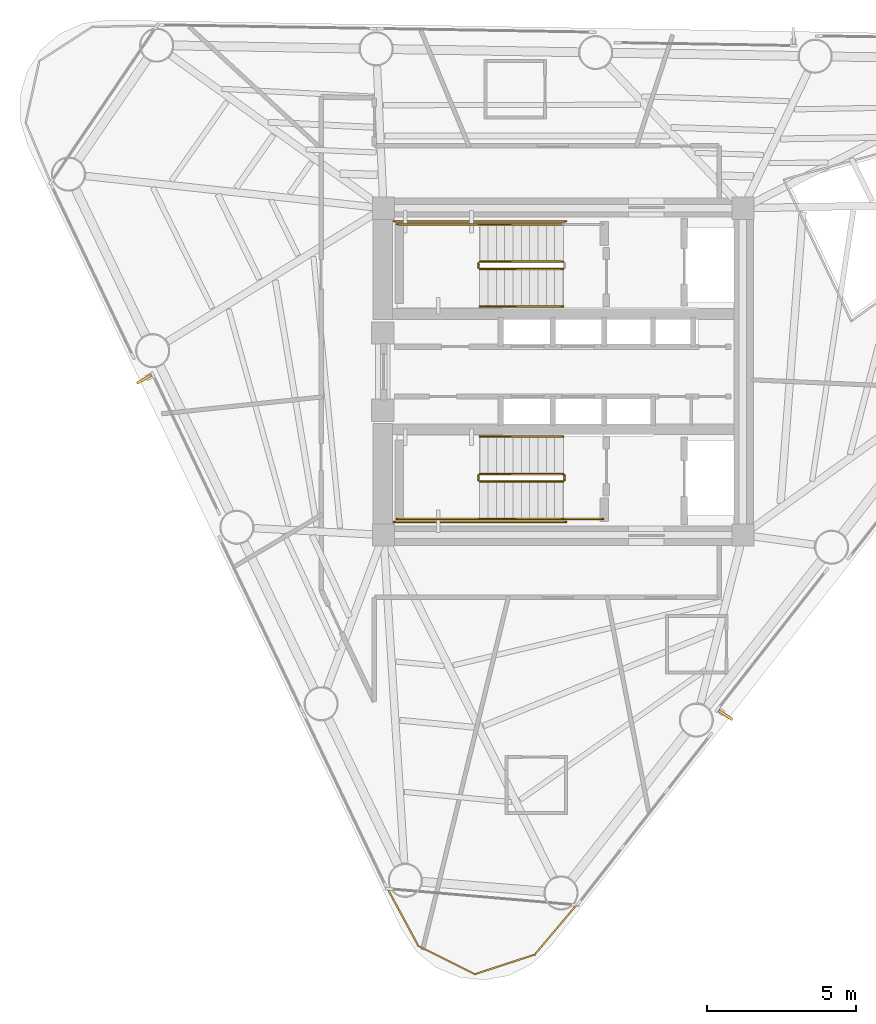
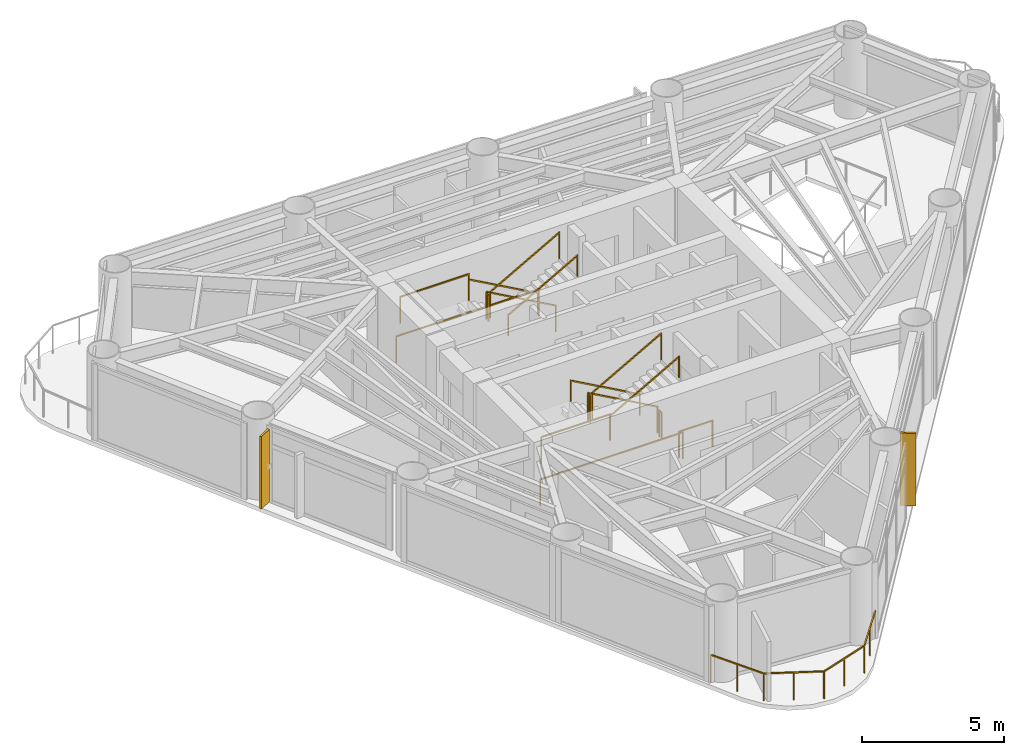
# One storey, part 8 of 10: 17 railings, 2 shading devices.
"""IFC4 building model written with IfcOpenShell, lengths in metres."""

from ifc_helpers import new_model, si_unit, direction, frame, origin, origin_2d, place, context, subcontext, project, spatial, rectangle, extrude, source, transform, mapped, material, material_profile, profile_set, type_object, element, save


model = new_model("IFC4")

# Units and contexts
model_context = context("Model", 3, precision=1e-05, world=origin(), true_north=direction((0.0, 1.0)))
body_context = subcontext(model_context, "Body", "Model", "MODEL_VIEW")
ifc_project = project(units=[si_unit("LENGTHUNIT", "METRE"), si_unit("AREAUNIT", "SQUARE_METRE"), si_unit("VOLUMEUNIT", "CUBIC_METRE"), si_unit("PLANEANGLEUNIT", "RADIAN"), si_unit("MASSUNIT", "GRAM", prefix="KILO")], contexts=[model_context])

# Site, building, storey
site_placement = place(None, origin())
site = spatial("IfcSite", under=ifc_project, at=site_placement, CompositionType="ELEMENT")
building_placement = place(site_placement, origin())
building = spatial("IfcBuilding", under=site, at=building_placement, Name="Yunling Apex Tower", CompositionType="ELEMENT")
storey_placement = place(building_placement, frame((0.0, 0.0, 215.60009765625)))
storey = spatial("IfcBuildingStorey", under=building, at=storey_placement, Name="L53", CompositionType="ELEMENT", Elevation=215.60009765625)

# Railings
ifc_material_1 = material(Name="Bronze anodised aluminium", Category="aluminium")
railing_type_1 = type_object("IfcRailingType", Name="RL-BAL-1200", PredefinedType="BALUSTRADE", material=ifc_material_1)
railing_1_placement = place(storey_placement, frame((0.4462890625, -17.9599609375, 0.0)))
element("IfcRailing", 1, at=railing_1_placement, inside=storey, type_object=railing_type_1, Name="RL-CRNSILL-L53-3", PredefinedType="BALUSTRADE", context=body_context, shape_type="SweptSolid", body=[
    extrude(rectangle(XDim=0.0439453125, YDim=0.0439453125, at=origin_2d()), origin(), (0.0, 0.0, 1.0), 1.199951171875),
    extrude(rectangle(XDim=0.0439453125, YDim=0.0439453125, at=origin_2d()), frame((-1.408447265625, -1.669189453125, 0.0)), (0.0, 0.0, 1.0), 1.199951171875),
    extrude(rectangle(XDim=0.050048828125, YDim=0.050048828125, at=origin_2d()), frame((-0.024658203125, -0.029296875, 1.1748046875), z_axis=(-0.644889304204, -0.764275987666, 0.0), x_axis=(0.764275987666, -0.644889304204, 0.0)), (0.0, 0.0, 1.0), 2.107421875),
    extrude(rectangle(XDim=0.0439453125, YDim=0.0439453125, at=origin_2d()), frame((-0.7041015625, -0.83447265625, 0.0)), (0.0, 0.0, 1.0), 1.14599609375),
    extrude(rectangle(XDim=0.0439453125, YDim=0.0439453125, at=origin_2d()), frame((-3.421875, -2.326416015625, 0.0)), (0.0, 0.0, 1.0), 1.199951171875),
    extrude(rectangle(XDim=0.050048828125, YDim=0.050048828125, at=origin_2d()), frame((-1.44482421875, -1.68115234375, 1.1748046875), z_axis=(-0.950635994022, -0.310308244926, 0.0), x_axis=(0.310308244926, -0.950635994022, 0.0)), (0.0, 0.0, 1.0), 2.041259765625),
    extrude(rectangle(XDim=0.0439453125, YDim=0.0439453125, at=origin_2d()), frame((-2.4150390625, -1.997802734375, 0.0)), (0.0, 0.0, 1.0), 1.14599609375),
    extrude(rectangle(XDim=0.0439453125, YDim=0.0439453125, at=origin_2d()), frame((-5.32275390625, -1.376708984375, 0.0)), (0.0, 0.0, 1.0), 1.199951171875),
    extrude(rectangle(XDim=0.050048828125, YDim=0.050048828125, at=origin_2d()), frame((-3.4560546875, -2.309326171875, 1.1748046875), z_axis=(-0.894565021347, 0.446937828543, 0.0), x_axis=(-0.446937828543, -0.894565021347, 0.0)), (0.0, 0.0, 1.0), 2.04833984375),
    extrude(rectangle(XDim=0.0439453125, YDim=0.0439453125, at=origin_2d()), frame((-4.372314453125, -1.8515625, 0.0)), (0.0, 0.0, 1.0), 1.14599609375),
    extrude(rectangle(XDim=0.0439453125, YDim=0.0439453125, at=origin_2d()), frame((-6.35791015625, 0.545654296875, 0.0)), (0.0, 0.0, 1.0), 1.199951171875),
    extrude(rectangle(XDim=0.050048828125, YDim=0.050048828125, at=origin_2d()), frame((-5.3408203125, -1.343017578125, 1.1748046875), z_axis=(-0.474113159208, 0.880463918775, 0.0), x_axis=(-0.880463918775, -0.474113159208, 0.0)), (0.0, 0.0, 1.0), 2.106689453125),
    extrude(rectangle(XDim=0.0439453125, YDim=0.0439453125, at=origin_2d()), frame((-5.84033203125, -0.41552734375, 0.0)), (0.0, 0.0, 1.0), 1.14599609375),
])
ifc_material_2 = material(Name="Steel Q355B", Category="steel")
railing_type_2 = type_object("IfcRailingType", Name="RL-GRD-1150", PredefinedType="GUARDRAIL", material=ifc_material_2)
railing_2_placement = place(storey_placement, frame((-0.010009765625, 3.699951171875, 0.15673828125)))
element("IfcRailing", 2, at=railing_2_placement, inside=storey, type_object=railing_type_2, Name="L53 ST-1 stair guard 1", PredefinedType="GUARDRAIL", context=body_context, shape_type="SweptSolid", body=[
    extrude(rectangle(XDim=0.0439453125, YDim=0.0439453125, at=origin_2d()), origin(), (0.0, 0.0, 1.0), 1.14990234375),
    extrude(rectangle(XDim=0.0439453125, YDim=0.0439453125, at=origin_2d()), frame((-2.800048828125, 0.0, 1.568115234375)), (0.0, 0.0, 1.0), 1.14990234375),
    extrude(rectangle(XDim=0.050048828125, YDim=0.050048828125, at=origin_2d()), frame((-0.033447265625, 0.0, 1.1435546875), z_axis=(-0.872494340497, 0.0, 0.48862421737), x_axis=(0.0, -1.0, 0.0)), (0.0, 0.0, 1.0), 3.132568359375),
])
railing_3_placement = place(storey_placement, frame((-2.860107421875, 3.64990234375, 1.724853515625)))
element("IfcRailing", 3, at=railing_3_placement, inside=storey, type_object=railing_type_2, Name="L53 ST-1 stair guard 2", PredefinedType="GUARDRAIL", context=body_context, shape_type="SweptSolid", body=[
    extrude(rectangle(XDim=0.0439453125, YDim=0.0439453125, at=origin_2d()), origin(), (0.0, 0.0, 1.0), 1.14990234375),
    extrude(rectangle(XDim=0.0439453125, YDim=0.0439453125, at=origin_2d()), frame((0.0, -0.14990234375, 0.0)), (0.0, 0.0, 1.0), 1.14990234375),
    extrude(rectangle(XDim=0.050048828125, YDim=0.050048828125, at=origin_2d()), frame((0.0, -0.038330078125, 1.125), z_axis=(0.0, -1.0, 0.0), x_axis=(1.0, 0.0, 0.0)), (0.0, 0.0, 1.0), 0.0732421875),
])
railing_4_placement = place(storey_placement, frame((-2.81005859375, 4.9599609375, 1.724853515625)))
element("IfcRailing", 4, at=railing_4_placement, inside=storey, type_object=railing_type_2, Name="L53 ST-1 stair guard 3", PredefinedType="GUARDRAIL", context=body_context, shape_type="SweptSolid", body=[
    extrude(rectangle(XDim=0.0439453125, YDim=0.0439453125, at=origin_2d()), origin(), (0.0, 0.0, 1.0), 1.14990234375),
    extrude(rectangle(XDim=0.0439453125, YDim=0.0439453125, at=origin_2d()), frame((-2.7900390625, 0.0, 0.0)), (0.0, 0.0, 1.0), 1.14990234375),
    extrude(rectangle(XDim=0.050048828125, YDim=0.050048828125, at=origin_2d()), frame((-0.038330078125, 0.0, 1.125), z_axis=(-1.0, 0.0, 0.0), x_axis=(0.0, -1.0, 0.0)), (0.0, 0.0, 1.0), 2.71337890625),
])
railing_5_placement = place(storey_placement, frame((-2.81005859375, 3.449951171875, 1.8818359375)))
element("IfcRailing", 5, at=railing_5_placement, inside=storey, type_object=railing_type_2, Name="L53 ST-1 stair guard 4", PredefinedType="GUARDRAIL", context=body_context, shape_type="SweptSolid", body=[
    extrude(rectangle(XDim=0.0439453125, YDim=0.0439453125, at=origin_2d()), origin(), (0.0, 0.0, 1.0), 1.14990234375),
    extrude(rectangle(XDim=0.0439453125, YDim=0.0439453125, at=origin_2d()), frame((2.800048828125, 0.0, 1.568115234375)), (0.0, 0.0, 1.0), 1.14990234375),
    extrude(rectangle(XDim=0.050048828125, YDim=0.050048828125, at=origin_2d()), frame((0.033447265625, 0.0, 1.1435546875), z_axis=(0.872494340497, 0.0, 0.48862421737), x_axis=(0.0, 1.0, 0.0)), (0.0, 0.0, 1.0), 3.132568359375),
])
railing_6_placement = place(storey_placement, frame((0.090087890625, 5.06005859375, 0.0)))
element("IfcRailing", 6, at=railing_6_placement, inside=storey, type_object=railing_type_2, Name="L53 ST-1 stair guard 7", PredefinedType="GUARDRAIL", context=body_context, shape_type="SweptSolid", body=[
    extrude(rectangle(XDim=0.0439453125, YDim=0.0439453125, at=origin_2d()), origin(), (0.0, 0.0, 1.0), 1.14990234375),
    extrude(rectangle(XDim=0.0439453125, YDim=0.0439453125, at=origin_2d()), frame((-5.7900390625, 0.0, 0.0)), (0.0, 0.0, 1.0), 1.14990234375),
    extrude(rectangle(XDim=0.050048828125, YDim=0.050048828125, at=origin_2d()), frame((-0.038330078125, 0.0, 1.125), z_axis=(-1.0, 0.0, 0.0), x_axis=(0.0, -1.0, 0.0)), (0.0, 0.0, 1.0), 5.71337890625),
])
railing_7_placement = place(storey_placement, frame((-0.010009765625, -3.449951171875, 0.15673828125)))
element("IfcRailing", 7, at=railing_7_placement, inside=storey, type_object=railing_type_2, Name="L53 ST-2 stair guard 1", PredefinedType="GUARDRAIL", context=body_context, shape_type="SweptSolid", body=[
    extrude(rectangle(XDim=0.0439453125, YDim=0.0439453125, at=origin_2d()), origin(), (0.0, 0.0, 1.0), 1.14990234375),
    extrude(rectangle(XDim=0.0439453125, YDim=0.0439453125, at=origin_2d()), frame((-2.800048828125, 0.0, 1.568115234375)), (0.0, 0.0, 1.0), 1.14990234375),
    extrude(rectangle(XDim=0.050048828125, YDim=0.050048828125, at=origin_2d()), frame((-0.033447265625, 0.0, 1.1435546875), z_axis=(-0.872494340497, 0.0, 0.48862421737), x_axis=(0.0, -1.0, 0.0)), (0.0, 0.0, 1.0), 3.132568359375),
])
railing_8_placement = place(storey_placement, frame((-2.860107421875, -3.5, 1.724853515625)))
element("IfcRailing", 8, at=railing_8_placement, inside=storey, type_object=railing_type_2, Name="L53 ST-2 stair guard 2", PredefinedType="GUARDRAIL", context=body_context, shape_type="SweptSolid", body=[
    extrude(rectangle(XDim=0.0439453125, YDim=0.0439453125, at=origin_2d()), origin(), (0.0, 0.0, 1.0), 1.14990234375),
    extrude(rectangle(XDim=0.0439453125, YDim=0.0439453125, at=origin_2d()), frame((0.0, -0.14990234375, 0.0)), (0.0, 0.0, 1.0), 1.14990234375),
    extrude(rectangle(XDim=0.050048828125, YDim=0.050048828125, at=origin_2d()), frame((0.0, -0.038330078125, 1.125), z_axis=(0.0, -1.0, 0.0), x_axis=(1.0, 0.0, 0.0)), (0.0, 0.0, 1.0), 0.0732421875),
])
railing_9_placement = place(storey_placement, frame((-2.81005859375, -4.9599609375, 1.724853515625)))
element("IfcRailing", 9, at=railing_9_placement, inside=storey, type_object=railing_type_2, Name="L53 ST-2 stair guard 3", PredefinedType="GUARDRAIL", context=body_context, shape_type="SweptSolid", body=[
    extrude(rectangle(XDim=0.0439453125, YDim=0.0439453125, at=origin_2d()), origin(), (0.0, 0.0, 1.0), 1.14990234375),
    extrude(rectangle(XDim=0.0439453125, YDim=0.0439453125, at=origin_2d()), frame((-2.7900390625, 0.0, 0.0)), (0.0, 0.0, 1.0), 1.14990234375),
    extrude(rectangle(XDim=0.050048828125, YDim=0.050048828125, at=origin_2d()), frame((-0.038330078125, 0.0, 1.125), z_axis=(-1.0, 0.0, 0.0), x_axis=(0.0, -1.0, 0.0)), (0.0, 0.0, 1.0), 2.71337890625),
])
railing_10_placement = place(storey_placement, frame((-2.81005859375, -3.699951171875, 1.8818359375)))
element("IfcRailing", 10, at=railing_10_placement, inside=storey, type_object=railing_type_2, Name="L53 ST-2 stair guard 4", PredefinedType="GUARDRAIL", context=body_context, shape_type="SweptSolid", body=[
    extrude(rectangle(XDim=0.0439453125, YDim=0.0439453125, at=origin_2d()), origin(), (0.0, 0.0, 1.0), 1.14990234375),
    extrude(rectangle(XDim=0.0439453125, YDim=0.0439453125, at=origin_2d()), frame((2.800048828125, 0.0, 1.568115234375)), (0.0, 0.0, 1.0), 1.14990234375),
    extrude(rectangle(XDim=0.050048828125, YDim=0.050048828125, at=origin_2d()), frame((0.033447265625, 0.0, 1.1435546875), z_axis=(0.872494340497, 0.0, 0.48862421737), x_axis=(0.0, 1.0, 0.0)), (0.0, 0.0, 1.0), 3.132568359375),
])
railing_11_placement = place(storey_placement, frame((0.0400390625, -3.5, 0.0)))
element("IfcRailing", 11, at=railing_11_placement, inside=storey, type_object=railing_type_2, Name="L53 ST-2 stair guard 5", PredefinedType="GUARDRAIL", context=body_context, shape_type="SweptSolid", body=[
    extrude(rectangle(XDim=0.0439453125, YDim=0.0439453125, at=origin_2d()), origin(), (0.0, 0.0, 1.0), 1.14990234375),
    extrude(rectangle(XDim=0.0439453125, YDim=0.0439453125, at=origin_2d()), frame((0.0, -0.14990234375, 0.0)), (0.0, 0.0, 1.0), 1.14990234375),
    extrude(rectangle(XDim=0.050048828125, YDim=0.050048828125, at=origin_2d()), frame((0.0, -0.038330078125, 1.125), z_axis=(0.0, -1.0, 0.0), x_axis=(1.0, 0.0, 0.0)), (0.0, 0.0, 1.0), 0.0732421875),
])
railing_12_placement = place(storey_placement, frame((1.35009765625, -4.9599609375, 0.0)))
element("IfcRailing", 12, at=railing_12_placement, inside=storey, type_object=railing_type_2, Name="L53 ST-2 stair guard 6", PredefinedType="GUARDRAIL", context=body_context, shape_type="SweptSolid", body=[
    extrude(rectangle(XDim=0.0439453125, YDim=0.0439453125, at=origin_2d()), origin(), (0.0, 0.0, 1.0), 1.14990234375),
    extrude(rectangle(XDim=0.0439453125, YDim=0.0439453125, at=origin_2d()), frame((-1.360107421875, 0.0, 0.0)), (0.0, 0.0, 1.0), 1.14990234375),
    extrude(rectangle(XDim=0.050048828125, YDim=0.050048828125, at=origin_2d()), frame((-0.038330078125, 0.0, 1.125), z_axis=(-1.0, 0.0, 0.0), x_axis=(0.0, -1.0, 0.0)), (0.0, 0.0, 1.0), 1.283447265625),
])
railing_13_placement = place(storey_placement, frame((0.090087890625, -5.06005859375, 0.0)))
element("IfcRailing", 13, at=railing_13_placement, inside=storey, type_object=railing_type_2, Name="L53 ST-2 stair guard 7", PredefinedType="GUARDRAIL", context=body_context, shape_type="SweptSolid", body=[
    extrude(rectangle(XDim=0.0439453125, YDim=0.0439453125, at=origin_2d()), origin(), (0.0, 0.0, 1.0), 1.14990234375),
    extrude(rectangle(XDim=0.0439453125, YDim=0.0439453125, at=origin_2d()), frame((-5.7900390625, 0.0, 0.0)), (0.0, 0.0, 1.0), 1.14990234375),
    extrude(rectangle(XDim=0.050048828125, YDim=0.050048828125, at=origin_2d()), frame((-0.038330078125, 0.0, 1.125), z_axis=(-1.0, 0.0, 0.0), x_axis=(0.0, -1.0, 0.0)), (0.0, 0.0, 1.0), 5.71337890625),
])
ifc_material_3 = material(Name="Silver anodised aluminium", Category="aluminium")
railing_type_3 = type_object("IfcRailingType", Name="RL-HND-900", PredefinedType="HANDRAIL", material=ifc_material_3)
railing_14_placement = place(storey_placement, frame((-0.010009765625, 4.9599609375, 0.15673828125)))
element("IfcRailing", 14, at=railing_14_placement, inside=storey, type_object=railing_type_3, Name="L53 ST-1 stair handrail 1", PredefinedType="HANDRAIL", context=body_context, shape_type="SweptSolid", body=[
    extrude(rectangle(XDim=0.0439453125, YDim=0.0439453125, at=origin_2d()), origin(), (0.0, 0.0, 1.0), 0.919921875),
    extrude(rectangle(XDim=0.0439453125, YDim=0.0439453125, at=origin_2d()), frame((-2.800048828125, 0.0, 1.568115234375)), (0.0, 0.0, 1.0), 0.919921875),
    extrude(rectangle(XDim=0.050048828125, YDim=0.050048828125, at=origin_2d()), frame((-0.033447265625, 0.0, 0.91357421875), z_axis=(-0.872494340497, 0.0, 0.48862421737), x_axis=(0.0, -1.0, 0.0)), (0.0, 0.0, 1.0), 3.132568359375),
])
railing_15_placement = place(storey_placement, frame((-2.81005859375, 2.18994140625, 1.8818359375)))
element("IfcRailing", 15, at=railing_15_placement, inside=storey, type_object=railing_type_3, Name="L53 ST-1 stair handrail 2", PredefinedType="HANDRAIL", context=body_context, shape_type="SweptSolid", body=[
    extrude(rectangle(XDim=0.0439453125, YDim=0.0439453125, at=origin_2d()), origin(), (0.0, 0.0, 1.0), 0.919921875),
    extrude(rectangle(XDim=0.0439453125, YDim=0.0439453125, at=origin_2d()), frame((2.800048828125, 0.0, 1.568115234375)), (0.0, 0.0, 1.0), 0.919921875),
    extrude(rectangle(XDim=0.050048828125, YDim=0.050048828125, at=origin_2d()), frame((0.033447265625, 0.0, 0.91357421875), z_axis=(0.872494340497, 0.0, 0.48862421737), x_axis=(0.0, 1.0, 0.0)), (0.0, 0.0, 1.0), 3.132568359375),
])
railing_16_placement = place(storey_placement, frame((-0.010009765625, -2.18994140625, 0.15673828125)))
element("IfcRailing", 16, at=railing_16_placement, inside=storey, type_object=railing_type_3, Name="L53 ST-2 stair handrail 1", PredefinedType="HANDRAIL", context=body_context, shape_type="SweptSolid", body=[
    extrude(rectangle(XDim=0.0439453125, YDim=0.0439453125, at=origin_2d()), origin(), (0.0, 0.0, 1.0), 0.919921875),
    extrude(rectangle(XDim=0.0439453125, YDim=0.0439453125, at=origin_2d()), frame((-2.800048828125, 0.0, 1.568115234375)), (0.0, 0.0, 1.0), 0.919921875),
    extrude(rectangle(XDim=0.050048828125, YDim=0.050048828125, at=origin_2d()), frame((-0.033447265625, 0.0, 0.91357421875), z_axis=(-0.872494340497, 0.0, 0.48862421737), x_axis=(0.0, -1.0, 0.0)), (0.0, 0.0, 1.0), 3.132568359375),
])
railing_17_placement = place(storey_placement, frame((-2.81005859375, -4.9599609375, 1.8818359375)))
element("IfcRailing", 17, at=railing_17_placement, inside=storey, type_object=railing_type_3, Name="L53 ST-2 stair handrail 2", PredefinedType="HANDRAIL", context=body_context, shape_type="SweptSolid", body=[
    extrude(rectangle(XDim=0.0439453125, YDim=0.0439453125, at=origin_2d()), origin(), (0.0, 0.0, 1.0), 0.919921875),
    extrude(rectangle(XDim=0.0439453125, YDim=0.0439453125, at=origin_2d()), frame((2.800048828125, 0.0, 1.568115234375)), (0.0, 0.0, 1.0), 0.919921875),
    extrude(rectangle(XDim=0.050048828125, YDim=0.050048828125, at=origin_2d()), frame((0.033447265625, 0.0, 0.91357421875), z_axis=(0.872494340497, 0.0, 0.48862421737), x_axis=(0.0, 1.0, 0.0)), (0.0, 0.0, 1.0), 3.132568359375),
])

# Shading devices
ifc_material_profile = material_profile(ifc_material_1, rectangle(XDim=0.0849609375, YDim=0.550048828125, at=origin_2d()))
ifc_profile_set = profile_set([ifc_material_profile], Name="Bronze anodised aluminium")
shading_device_type = type_object("IfcShadingDeviceType", Name="FN-BRZ-3", PredefinedType="USERDEFINED", material=ifc_profile_set)
shared_shape = source(origin(), body_context, "Body", "SweptSolid", [
    extrude(rectangle(XDim=0.0849609375, YDim=0.550048828125, at=origin_2d()), origin(), (0.0, 0.0, 1.0), 3.110107421875),
])
for number, where, z_axis, x_axis, name in (
    (18, (5.468505859375, -11.565185546875, 0.06005859375), (0.0, 0.0, 1.0), (0.563381859003, 0.826196635763, 0.0), "CW-L53-F1-B2-FIN-01"),
    (19, (-14.113037109375, -0.254150390625, 0.06005859375), (0.0, 0.0, 1.0), (0.488621241497, -0.872496007073, 0.0), "CW-L53-F3-B2-FIN-01"),
):
    element("IfcShadingDevice", number, at=place(storey_placement, frame(where, z_axis=z_axis, x_axis=x_axis)), inside=storey, type_object=shading_device_type, Name=name, ObjectType="FIN", PredefinedType="USERDEFINED", context=body_context, shape_type="MappedRepresentation", body=[
        mapped(shared_shape, transform((0.0, 0.0, 0.0), scale=1.0)),
    ])

save(model, "model.ifc")
